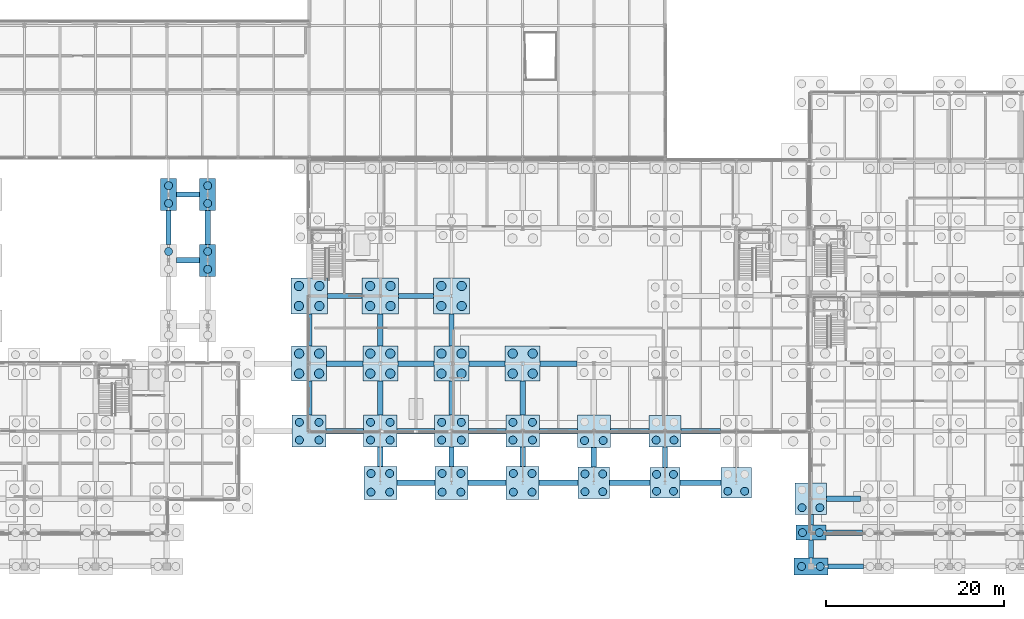
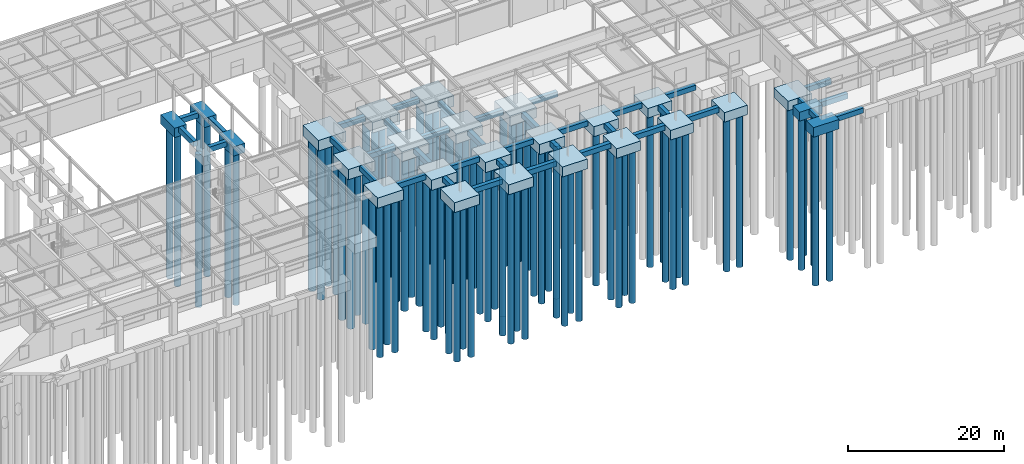
# One storey, part 3 of 62: 83 piles, 63 footings.
"""IFC4 building model written with IfcOpenShell, lengths in metres."""

from ifc_helpers import new_model, si_unit, direction, frame, origin, origin_2d, place, context, subcontext, project, spatial, rectangle, circle, extrude, material, material_profile, profile_set, type_object, element, save


model = new_model("IFC4")

# Units and contexts
model_context = context("Model", 3, precision=1e-05, world=origin(), true_north=direction((0.0, 1.0)))
body_context = subcontext(model_context, "Body", "Model", "MODEL_VIEW")
ifc_project = project(units=[si_unit("LENGTHUNIT", "METRE"), si_unit("AREAUNIT", "SQUARE_METRE"), si_unit("VOLUMEUNIT", "CUBIC_METRE"), si_unit("PLANEANGLEUNIT", "RADIAN"), si_unit("MASSUNIT", "GRAM", prefix="KILO")], contexts=[model_context])

# Site, building, storey
site_placement = place(None, origin())
site = spatial("IfcSite", under=ifc_project, at=site_placement, CompositionType="ELEMENT")
building_placement = place(site_placement, origin())
building = spatial("IfcBuilding", under=site, at=building_placement, Name="Zulena Civic Courthouse", CompositionType="ELEMENT")
storey_placement = place(building_placement, origin())
storey = spatial("IfcBuildingStorey", under=building, at=storey_placement, Name="L00", CompositionType="ELEMENT", Elevation=0.0)

# Piles
ifc_material_1 = material(Name="Concrete C40/50", Category="concrete")
ifc_material_profile_1 = material_profile(ifc_material_1, circle(Radius=0.52490234375, at=origin_2d()), Name="PILE1050")
ifc_profile_set_1 = profile_set([ifc_material_profile_1], Name="Concrete C40/50")
pile_type_1 = type_object("IfcPileType", Name="BoredPile_1050", PredefinedType="BORED", material=ifc_profile_set_1)
for number, where, z_axis, x_axis, name in (
    (1, (66.875, 21.675048828125, -1.72998046875), (0.0, 0.0, -1.0), (1.0, 0.0, 0.0), "pile:L00:052:1"),
    (2, (69.125, 21.675048828125, -1.72998046875), (0.0, 0.0, -1.0), (1.0, 0.0, 0.0), "pile:L00:052:2"),
    (3, (66.875, 23.925048828125, -1.72998046875), (0.0, 0.0, -1.0), (1.0, 0.0, 0.0), "pile:L00:052:3"),
    (4, (69.125, 23.925048828125, -1.72998046875), (0.0, 0.0, -1.0), (1.0, 0.0, 0.0), "pile:L00:052:4"),
    (5, (66.85009765625, 29.27490234375, -1.780029296875), (0.0, 0.0, -1.0), (1.0, 0.0, 0.0), "pile:L00:053:1"),
    (6, (69.14990234375, 29.27490234375, -1.780029296875), (0.0, 0.0, -1.0), (1.0, 0.0, 0.0), "pile:L00:053:2"),
    (7, (66.85009765625, 31.52490234375, -1.780029296875), (0.0, 0.0, -1.0), (1.0, 0.0, 0.0), "pile:L00:053:3"),
    (8, (69.14990234375, 31.52490234375, -1.780029296875), (0.0, 0.0, -1.0), (1.0, 0.0, 0.0), "pile:L00:053:4"),
    (9, (74.875, 21.675048828125, -1.72998046875), (0.0, 0.0, -1.0), (1.0, 0.0, 0.0), "pile:L00:058:1"),
    (10, (77.125, 21.675048828125, -1.72998046875), (0.0, 0.0, -1.0), (1.0, 0.0, 0.0), "pile:L00:058:2"),
    (11, (74.875, 23.925048828125, -1.72998046875), (0.0, 0.0, -1.0), (1.0, 0.0, 0.0), "pile:L00:058:3"),
    (12, (77.125, 23.925048828125, -1.72998046875), (0.0, 0.0, -1.0), (1.0, 0.0, 0.0), "pile:L00:058:4"),
    (13, (74.85009765625, 29.27490234375, -1.780029296875), (0.0, 0.0, -1.0), (1.0, 0.0, 0.0), "pile:L00:059:1"),
    (14, (77.14990234375, 29.27490234375, -1.780029296875), (0.0, 0.0, -1.0), (1.0, 0.0, 0.0), "pile:L00:059:2"),
    (15, (74.85009765625, 31.52490234375, -1.780029296875), (0.0, 0.0, -1.0), (1.0, 0.0, 0.0), "pile:L00:059:3"),
    (16, (77.14990234375, 31.52490234375, -1.780029296875), (0.0, 0.0, -1.0), (1.0, 0.0, 0.0), "pile:L00:059:4"),
    (17, (82.875, 21.675048828125, -1.72998046875), (0.0, 0.0, -1.0), (1.0, 0.0, 0.0), "pile:L00:064:1"),
    (18, (85.125, 21.675048828125, -1.72998046875), (0.0, 0.0, -1.0), (1.0, 0.0, 0.0), "pile:L00:064:2"),
    (19, (82.875, 23.925048828125, -1.72998046875), (0.0, 0.0, -1.0), (1.0, 0.0, 0.0), "pile:L00:064:3"),
    (20, (85.125, 23.925048828125, -1.72998046875), (0.0, 0.0, -1.0), (1.0, 0.0, 0.0), "pile:L00:064:4"),
    (21, (82.85009765625, 29.27490234375, -1.780029296875), (0.0, 0.0, -1.0), (1.0, 0.0, 0.0), "pile:L00:065:1"),
    (22, (85.14990234375, 29.27490234375, -1.780029296875), (0.0, 0.0, -1.0), (1.0, 0.0, 0.0), "pile:L00:065:2"),
    (23, (82.85009765625, 31.52490234375, -1.780029296875), (0.0, 0.0, -1.0), (1.0, 0.0, 0.0), "pile:L00:065:3"),
    (24, (85.14990234375, 31.52490234375, -1.780029296875), (0.0, 0.0, -1.0), (1.0, 0.0, 0.0), "pile:L00:065:4"),
    (25, (90.875, 21.675048828125, -1.72998046875), (0.0, 0.0, -1.0), (1.0, 0.0, 0.0), "pile:L00:070:1"),
    (26, (93.125, 21.675048828125, -1.72998046875), (0.0, 0.0, -1.0), (1.0, 0.0, 0.0), "pile:L00:070:2"),
    (27, (90.875, 23.925048828125, -1.72998046875), (0.0, 0.0, -1.0), (1.0, 0.0, 0.0), "pile:L00:070:3"),
    (28, (93.125, 23.925048828125, -1.72998046875), (0.0, 0.0, -1.0), (1.0, 0.0, 0.0), "pile:L00:070:4"),
):
    element("IfcPile", number, at=place(storey_placement, frame(where, z_axis=z_axis, x_axis=x_axis)), inside=storey, type_object=pile_type_1, Name=name, PredefinedType="BORED", context=body_context, shape_type="SweptSolid", body=[
        extrude(circle(Radius=0.52490234375, at=origin_2d()), origin(), (0.0, 0.0, 1.0), 24.0),
    ])
ifc_material_profile_2 = material_profile(ifc_material_1, circle(Radius=0.449951171875, at=origin_2d()), Name="PILE900")
ifc_profile_set_2 = profile_set([ifc_material_profile_2], Name="Concrete C40/50")
pile_type_2 = type_object("IfcPileType", Name="BoredPile_900", PredefinedType="BORED", material=ifc_profile_set_2)
for number, where, z_axis, x_axis, name in (
    (29, (52.199951171875, 35.39990234375, -1.580078125), (0.0, 0.0, -1.0), (1.0, 0.0, 0.0), "pile:L00:043:2"),
    (30, (52.199951171875, 40.800048828125, -1.580078125), (0.0, 0.0, -1.0), (1.0, 0.0, 0.0), "pile:L00:044:1"),
    (31, (52.199951171875, 42.800048828125, -1.580078125), (0.0, 0.0, -1.0), (1.0, 0.0, 0.0), "pile:L00:044:2"),
    (32, (56.60009765625, 33.39990234375, -1.580078125), (0.0, 0.0, -1.0), (1.0, 0.0, 0.0), "pile:L00:046:1"),
    (33, (56.60009765625, 35.39990234375, -1.580078125), (0.0, 0.0, -1.0), (1.0, 0.0, 0.0), "pile:L00:046:2"),
    (34, (56.60009765625, 40.800048828125, -1.580078125), (0.0, 0.0, -1.0), (1.0, 0.0, 0.0), "pile:L00:047:1"),
    (35, (56.60009765625, 42.800048828125, -1.580078125), (0.0, 0.0, -1.0), (1.0, 0.0, 0.0), "pile:L00:047:2"),
    (36, (66.89990234375, 14.199951171875, -1.72998046875), (0.0, 0.0, -1.0), (1.0, 0.0, 0.0), "pile:L00:051:1"),
    (37, (69.10009765625, 14.199951171875, -1.72998046875), (0.0, 0.0, -1.0), (1.0, 0.0, 0.0), "pile:L00:051:2"),
    (38, (66.89990234375, 16.199951171875, -1.72998046875), (0.0, 0.0, -1.0), (1.0, 0.0, 0.0), "pile:L00:051:3"),
    (39, (69.10009765625, 16.199951171875, -1.72998046875), (0.0, 0.0, -1.0), (1.0, 0.0, 0.0), "pile:L00:051:4"),
    (40, (74.949951171875, 8.35009765625, -1.679931640625), (0.0, 0.0, -1.0), (1.0, 0.0, 0.0), "pile:L00:056:1"),
    (41, (77.050048828125, 8.35009765625, -1.679931640625), (0.0, 0.0, -1.0), (1.0, 0.0, 0.0), "pile:L00:056:2"),
    (42, (74.949951171875, 10.449951171875, -1.679931640625), (0.0, 0.0, -1.0), (1.0, 0.0, 0.0), "pile:L00:056:3"),
    (43, (77.050048828125, 10.449951171875, -1.679931640625), (0.0, 0.0, -1.0), (1.0, 0.0, 0.0), "pile:L00:056:4"),
    (44, (74.89990234375, 14.199951171875, -1.72998046875), (0.0, 0.0, -1.0), (1.0, 0.0, 0.0), "pile:L00:057:1"),
    (45, (77.10009765625, 14.199951171875, -1.72998046875), (0.0, 0.0, -1.0), (1.0, 0.0, 0.0), "pile:L00:057:2"),
    (46, (74.89990234375, 16.199951171875, -1.72998046875), (0.0, 0.0, -1.0), (1.0, 0.0, 0.0), "pile:L00:057:3"),
    (47, (77.10009765625, 16.199951171875, -1.72998046875), (0.0, 0.0, -1.0), (1.0, 0.0, 0.0), "pile:L00:057:4"),
    (48, (82.949951171875, 8.35009765625, -1.679931640625), (0.0, 0.0, -1.0), (1.0, 0.0, 0.0), "pile:L00:062:1"),
    (49, (85.050048828125, 8.35009765625, -1.679931640625), (0.0, 0.0, -1.0), (1.0, 0.0, 0.0), "pile:L00:062:2"),
    (50, (82.949951171875, 10.449951171875, -1.679931640625), (0.0, 0.0, -1.0), (1.0, 0.0, 0.0), "pile:L00:062:3"),
    (51, (85.050048828125, 10.449951171875, -1.679931640625), (0.0, 0.0, -1.0), (1.0, 0.0, 0.0), "pile:L00:062:4"),
    (52, (82.89990234375, 14.199951171875, -1.72998046875), (0.0, 0.0, -1.0), (1.0, 0.0, 0.0), "pile:L00:063:1"),
    (53, (85.10009765625, 14.199951171875, -1.72998046875), (0.0, 0.0, -1.0), (1.0, 0.0, 0.0), "pile:L00:063:2"),
    (54, (82.89990234375, 16.199951171875, -1.72998046875), (0.0, 0.0, -1.0), (1.0, 0.0, 0.0), "pile:L00:063:3"),
    (55, (85.10009765625, 16.199951171875, -1.72998046875), (0.0, 0.0, -1.0), (1.0, 0.0, 0.0), "pile:L00:063:4"),
    (56, (90.949951171875, 8.35009765625, -1.679931640625), (0.0, 0.0, -1.0), (1.0, 0.0, 0.0), "pile:L00:068:1"),
    (57, (93.050048828125, 8.35009765625, -1.679931640625), (0.0, 0.0, -1.0), (1.0, 0.0, 0.0), "pile:L00:068:2"),
    (58, (90.949951171875, 10.449951171875, -1.679931640625), (0.0, 0.0, -1.0), (1.0, 0.0, 0.0), "pile:L00:068:3"),
    (59, (93.050048828125, 10.449951171875, -1.679931640625), (0.0, 0.0, -1.0), (1.0, 0.0, 0.0), "pile:L00:068:4"),
    (60, (90.89990234375, 14.199951171875, -1.72998046875), (0.0, 0.0, -1.0), (1.0, 0.0, 0.0), "pile:L00:069:1"),
    (61, (93.10009765625, 14.199951171875, -1.72998046875), (0.0, 0.0, -1.0), (1.0, 0.0, 0.0), "pile:L00:069:2"),
    (62, (90.89990234375, 16.199951171875, -1.72998046875), (0.0, 0.0, -1.0), (1.0, 0.0, 0.0), "pile:L00:069:3"),
    (63, (93.10009765625, 16.199951171875, -1.72998046875), (0.0, 0.0, -1.0), (1.0, 0.0, 0.0), "pile:L00:069:4"),
    (64, (99.0, 8.39990234375, -1.6298828125), (0.0, 0.0, -1.0), (1.0, 0.0, 0.0), "pile:L00:073:1"),
    (65, (101.0, 8.39990234375, -1.6298828125), (0.0, 0.0, -1.0), (1.0, 0.0, 0.0), "pile:L00:073:2"),
    (66, (99.0, 10.39990234375, -1.6298828125), (0.0, 0.0, -1.0), (1.0, 0.0, 0.0), "pile:L00:073:3"),
    (67, (101.0, 10.39990234375, -1.6298828125), (0.0, 0.0, -1.0), (1.0, 0.0, 0.0), "pile:L00:073:4"),
    (68, (98.949951171875, 14.14990234375, -1.679931640625), (0.0, 0.0, -1.0), (1.0, 0.0, 0.0), "pile:L00:074:1"),
    (69, (101.050048828125, 14.14990234375, -1.679931640625), (0.0, 0.0, -1.0), (1.0, 0.0, 0.0), "pile:L00:074:2"),
    (70, (107.050048828125, 8.449951171875, -1.6298828125), (0.0, 0.0, -1.0), (1.0, 0.0, 0.0), "pile:L00:078:1"),
    (71, (108.949951171875, 8.449951171875, -1.6298828125), (0.0, 0.0, -1.0), (1.0, 0.0, 0.0), "pile:L00:078:2"),
    (72, (107.050048828125, 10.35009765625, -1.6298828125), (0.0, 0.0, -1.0), (1.0, 0.0, 0.0), "pile:L00:078:3"),
    (73, (108.949951171875, 10.35009765625, -1.6298828125), (0.0, 0.0, -1.0), (1.0, 0.0, 0.0), "pile:L00:078:4"),
    (74, (107.0, 14.199951171875, -1.6298828125), (0.0, 0.0, -1.0), (1.0, 0.0, 0.0), "pile:L00:079:1"),
    (75, (109.0, 14.199951171875, -1.6298828125), (0.0, 0.0, -1.0), (1.0, 0.0, 0.0), "pile:L00:079:2"),
    (76, (115.050048828125, 8.449951171875, -1.6298828125), (0.0, 0.0, -1.0), (1.0, 0.0, 0.0), "pile:L00:084:1"),
    (77, (116.949951171875, 8.449951171875, -1.6298828125), (0.0, 0.0, -1.0), (1.0, 0.0, 0.0), "pile:L00:084:2"),
    (78, (123.35009765625, 0.0, -1.6298828125), (0.0, 0.0, -1.0), (1.0, 0.0, 0.0), "pile:L00:095:1"),
    (79, (125.449951171875, 0.0, -1.6298828125), (0.0, 0.0, -1.0), (1.0, 0.0, 0.0), "pile:L00:095:2"),
    (80, (123.449951171875, 3.800048828125, -1.530029296875), (0.0, 0.0, -1.0), (1.0, 0.0, 0.0), "pile:L00:096:1"),
    (81, (125.35009765625, 3.800048828125, -1.530029296875), (0.0, 0.0, -1.0), (1.0, 0.0, 0.0), "pile:L00:096:2"),
    (82, (123.39990234375, 6.60009765625, -1.6298828125), (0.0, 0.0, -1.0), (1.0, 0.0, 0.0), "pile:L00:097:1"),
    (83, (125.39990234375, 6.60009765625, -1.6298828125), (0.0, 0.0, -1.0), (1.0, 0.0, 0.0), "pile:L00:097:2"),
):
    element("IfcPile", number, at=place(storey_placement, frame(where, z_axis=z_axis, x_axis=x_axis)), inside=storey, type_object=pile_type_2, Name=name, PredefinedType="BORED", context=body_context, shape_type="SweptSolid", body=[
        extrude(circle(Radius=0.449951171875, at=origin_2d()), origin(), (0.0, 0.0, 1.0), 24.0),
    ])

# Footings
ifc_material_2 = material(Name="Concrete C35/45", Category="concrete")
ifc_material_profile_3 = material_profile(ifc_material_2, rectangle(XDim=0.60009765625, YDim=0.800048828125, at=origin_2d()), Name="RC600X800")
ifc_profile_set_3 = profile_set([ifc_material_profile_3], Name="Concrete C35/45")
footing_type_1 = type_object("IfcFootingType", Name="GroundBeam_600x800", PredefinedType="FOOTING_BEAM", material=ifc_profile_set_3)
footing_1_placement = place(storey_placement, frame((126.300048828125, 0.0, -0.6298828125), z_axis=(1.0, 0.0, 0.0), x_axis=(0.0, 1.0, 0.0)))
element("IfcFooting", 84, at=footing_1_placement, inside=storey, type_object=footing_type_1, Name="gbeam:X:L00:007", PredefinedType="FOOTING_BEAM", context=body_context, shape_type="SweptSolid", body=[
    extrude(rectangle(XDim=0.60009765625, YDim=0.800048828125, at=origin_2d()), origin(), (0.0, 0.0, 1.0), 4.0),
])
footing_2_placement = place(storey_placement, frame((126.10009765625, 3.800048828125, -0.6298828125), z_axis=(1.0, 0.0, 0.0), x_axis=(0.0, 1.0, 0.0)))
element("IfcFooting", 85, at=footing_2_placement, inside=storey, type_object=footing_type_1, Name="gbeam:X:L00:019", PredefinedType="FOOTING_BEAM", context=body_context, shape_type="SweptSolid", body=[
    extrude(rectangle(XDim=0.60009765625, YDim=0.800048828125, at=origin_2d()), origin(), (0.0, 0.0, 1.0), 4.099853515625),
])
footing_3_placement = place(storey_placement, frame((126.175048828125, 7.60009765625, -0.6298828125), z_axis=(1.0, 0.0, 0.0), x_axis=(0.0, 1.0, 0.0)))
element("IfcFooting", 86, at=footing_3_placement, inside=storey, type_object=footing_type_1, Name="gbeam:X:L00:032", PredefinedType="FOOTING_BEAM", context=body_context, shape_type="SweptSolid", body=[
    extrude(rectangle(XDim=0.60009765625, YDim=0.800048828125, at=origin_2d()), origin(), (0.0, 0.0, 1.0), 3.77490234375),
])
for number, where, z_axis, x_axis, name in (
    (87, (77.85009765625, 9.39990234375, -0.6298828125), (1.0, 0.0, 0.0), (0.0, 1.0, 0.0), "gbeam:X:L00:038"),
    (88, (85.85009765625, 9.39990234375, -0.6298828125), (1.0, 0.0, 0.0), (0.0, 1.0, 0.0), "gbeam:X:L00:039"),
):
    element("IfcFooting", number, at=place(storey_placement, frame(where, z_axis=z_axis, x_axis=x_axis)), inside=storey, type_object=footing_type_1, Name=name, PredefinedType="FOOTING_BEAM", context=body_context, shape_type="SweptSolid", body=[
        extrude(rectangle(XDim=0.60009765625, YDim=0.800048828125, at=origin_2d()), origin(), (0.0, 0.0, 1.0), 4.2998046875),
    ])
footing_4_placement = place(storey_placement, frame((93.85009765625, 9.39990234375, -0.6298828125), z_axis=(1.0, 0.0, 0.0), x_axis=(0.0, 1.0, 0.0)))
element("IfcFooting", 89, at=footing_4_placement, inside=storey, type_object=footing_type_1, Name="gbeam:X:L00:040", PredefinedType="FOOTING_BEAM", context=body_context, shape_type="SweptSolid", body=[
    extrude(rectangle(XDim=0.60009765625, YDim=0.800048828125, at=origin_2d()), origin(), (0.0, 0.0, 1.0), 4.375),
])
footing_5_placement = place(storey_placement, frame((101.77490234375, 9.39990234375, -0.6298828125), z_axis=(1.0, 0.0, 0.0), x_axis=(0.0, 1.0, 0.0)))
element("IfcFooting", 90, at=footing_5_placement, inside=storey, type_object=footing_type_1, Name="gbeam:X:L00:041", PredefinedType="FOOTING_BEAM", context=body_context, shape_type="SweptSolid", body=[
    extrude(rectangle(XDim=0.60009765625, YDim=0.800048828125, at=origin_2d()), origin(), (0.0, 0.0, 1.0), 4.525146484375),
])
footing_6_placement = place(storey_placement, frame((109.699951171875, 9.39990234375, -0.6298828125), z_axis=(1.0, 0.0, 0.0), x_axis=(0.0, 1.0, 0.0)))
element("IfcFooting", 91, at=footing_6_placement, inside=storey, type_object=footing_type_1, Name="gbeam:X:L00:042", PredefinedType="FOOTING_BEAM", context=body_context, shape_type="SweptSolid", body=[
    extrude(rectangle(XDim=0.60009765625, YDim=0.800048828125, at=origin_2d()), origin(), (0.0, 0.0, 1.0), 4.60009765625),
])
for number, where, z_axis, x_axis, name in (
    (92, (69.89990234375, 15.199951171875, -0.6298828125), (1.0, 0.0, 0.0), (0.0, 1.0, 0.0), "gbeam:X:L00:051"),
    (93, (77.89990234375, 15.199951171875, -0.6298828125), (1.0, 0.0, 0.0), (0.0, 1.0, 0.0), "gbeam:X:L00:052"),
    (94, (85.89990234375, 15.199951171875, -0.6298828125), (1.0, 0.0, 0.0), (0.0, 1.0, 0.0), "gbeam:X:L00:053"),
):
    element("IfcFooting", number, at=place(storey_placement, frame(where, z_axis=z_axis, x_axis=x_axis)), inside=storey, type_object=footing_type_1, Name=name, PredefinedType="FOOTING_BEAM", context=body_context, shape_type="SweptSolid", body=[
        extrude(rectangle(XDim=0.60009765625, YDim=0.800048828125, at=origin_2d()), origin(), (0.0, 0.0, 1.0), 4.2001953125),
    ])
footing_7_placement = place(storey_placement, frame((93.89990234375, 15.199951171875, -0.6298828125), z_axis=(1.0, 0.0, 0.0), x_axis=(0.0, 1.0, 0.0)))
element("IfcFooting", 95, at=footing_7_placement, inside=storey, type_object=footing_type_1, Name="gbeam:X:L00:054", PredefinedType="FOOTING_BEAM", context=body_context, shape_type="SweptSolid", body=[
    extrude(rectangle(XDim=0.60009765625, YDim=0.800048828125, at=origin_2d()), origin(), (0.0, 0.0, 1.0), 4.25),
])
footing_8_placement = place(storey_placement, frame((101.85009765625, 15.199951171875, -0.6298828125), z_axis=(1.0, 0.0, 0.0), x_axis=(0.0, 1.0, 0.0)))
element("IfcFooting", 96, at=footing_8_placement, inside=storey, type_object=footing_type_1, Name="gbeam:X:L00:055", PredefinedType="FOOTING_BEAM", context=body_context, shape_type="SweptSolid", body=[
    extrude(rectangle(XDim=0.60009765625, YDim=0.800048828125, at=origin_2d()), origin(), (0.0, 0.0, 1.0), 4.375),
])
footing_9_placement = place(storey_placement, frame((109.77490234375, 15.199951171875, -0.6298828125), z_axis=(1.0, 0.0, 0.0), x_axis=(0.0, 1.0, 0.0)))
element("IfcFooting", 97, at=footing_9_placement, inside=storey, type_object=footing_type_1, Name="gbeam:X:L00:056", PredefinedType="FOOTING_BEAM", context=body_context, shape_type="SweptSolid", body=[
    extrude(rectangle(XDim=0.60009765625, YDim=0.800048828125, at=origin_2d()), origin(), (0.0, 0.0, 1.0), 4.4501953125),
])
for number, where, z_axis, x_axis, name in (
    (98, (69.97509765625, 22.800048828125, -0.6298828125), (1.0, 0.0, 0.0), (0.0, 1.0, 0.0), "gbeam:X:L00:072"),
    (99, (77.97509765625, 22.800048828125, -0.6298828125), (1.0, 0.0, 0.0), (0.0, 1.0, 0.0), "gbeam:X:L00:073"),
    (100, (85.97509765625, 22.800048828125, -0.6298828125), (1.0, 0.0, 0.0), (0.0, 1.0, 0.0), "gbeam:X:L00:074"),
):
    element("IfcFooting", number, at=place(storey_placement, frame(where, z_axis=z_axis, x_axis=x_axis)), inside=storey, type_object=footing_type_1, Name=name, PredefinedType="FOOTING_BEAM", context=body_context, shape_type="SweptSolid", body=[
        extrude(rectangle(XDim=0.60009765625, YDim=0.800048828125, at=origin_2d()), origin(), (0.0, 0.0, 1.0), 4.0498046875),
    ])
footing_10_placement = place(storey_placement, frame((93.97509765625, 22.800048828125, -0.6298828125), z_axis=(1.0, 0.0, 0.0), x_axis=(0.0, 1.0, 0.0)))
element("IfcFooting", 101, at=footing_10_placement, inside=storey, type_object=footing_type_1, Name="gbeam:X:L00:075", PredefinedType="FOOTING_BEAM", context=body_context, shape_type="SweptSolid", body=[
    extrude(rectangle(XDim=0.60009765625, YDim=0.800048828125, at=origin_2d()), origin(), (0.0, 0.0, 1.0), 4.125),
])
for number, where, z_axis, x_axis, name in (
    (102, (70.050048828125, 30.39990234375, -0.6298828125), (1.0, 0.0, 0.0), (0.0, 1.0, 0.0), "gbeam:X:L00:087"),
    (103, (78.050048828125, 30.39990234375, -0.6298828125), (1.0, 0.0, 0.0), (0.0, 1.0, 0.0), "gbeam:X:L00:088"),
):
    element("IfcFooting", number, at=place(storey_placement, frame(where, z_axis=z_axis, x_axis=x_axis)), inside=storey, type_object=footing_type_1, Name=name, PredefinedType="FOOTING_BEAM", context=body_context, shape_type="SweptSolid", body=[
        extrude(rectangle(XDim=0.60009765625, YDim=0.800048828125, at=origin_2d()), origin(), (0.0, 0.0, 1.0), 3.89990234375),
    ])
for number, where, z_axis, x_axis, name in (
    (104, (53.10009765625, 34.39990234375, -0.6298828125), (1.0, 0.0, 0.0), (0.0, 1.0, 0.0), "gbeam:X:L00:098"),
    (105, (53.10009765625, 41.800048828125, -0.6298828125), (1.0, 0.0, 0.0), (0.0, 1.0, 0.0), "gbeam:X:L00:113"),
):
    element("IfcFooting", number, at=place(storey_placement, frame(where, z_axis=z_axis, x_axis=x_axis)), inside=storey, type_object=footing_type_1, Name=name, PredefinedType="FOOTING_BEAM", context=body_context, shape_type="SweptSolid", body=[
        extrude(rectangle(XDim=0.60009765625, YDim=0.800048828125, at=origin_2d()), origin(), (0.0, 0.0, 1.0), 2.599853515625),
    ])
for number, where, z_axis, x_axis, name in (
    (106, (52.199951171875, 36.199951171875, -0.6298828125), (0.0, 1.0, 0.0), (-1.0, 0.0, 0.0), "gbeam:Y:L00:162"),
    (107, (56.60009765625, 36.199951171875, -0.6298828125), (0.0, 1.0, 0.0), (-1.0, 0.0, 0.0), "gbeam:Y:L00:164"),
):
    element("IfcFooting", number, at=place(storey_placement, frame(where, z_axis=z_axis, x_axis=x_axis)), inside=storey, type_object=footing_type_1, Name=name, PredefinedType="FOOTING_BEAM", context=body_context, shape_type="SweptSolid", body=[
        extrude(rectangle(XDim=0.60009765625, YDim=0.800048828125, at=origin_2d()), origin(), (0.0, 0.0, 1.0), 3.800048828125),
    ])
footing_11_placement = place(storey_placement, frame((68.0, 17.0, -0.6298828125), z_axis=(0.0, 1.0, 0.0), x_axis=(-1.0, 0.0, 0.0)))
element("IfcFooting", 108, at=footing_11_placement, inside=storey, type_object=footing_type_1, Name="gbeam:Y:L00:167", PredefinedType="FOOTING_BEAM", context=body_context, shape_type="SweptSolid", body=[
    extrude(rectangle(XDim=0.60009765625, YDim=0.800048828125, at=origin_2d()), origin(), (0.0, 0.0, 1.0), 3.824951171875),
])
footing_12_placement = place(storey_placement, frame((68.0, 24.77490234375, -0.6298828125), z_axis=(0.0, 1.0, 0.0), x_axis=(-1.0, 0.0, 0.0)))
element("IfcFooting", 109, at=footing_12_placement, inside=storey, type_object=footing_type_1, Name="gbeam:Y:L00:168", PredefinedType="FOOTING_BEAM", context=body_context, shape_type="SweptSolid", body=[
    extrude(rectangle(XDim=0.60009765625, YDim=0.800048828125, at=origin_2d()), origin(), (0.0, 0.0, 1.0), 3.625),
])
footing_13_placement = place(storey_placement, frame((76.0, 11.25, -0.6298828125), z_axis=(0.0, 1.0, 0.0), x_axis=(-1.0, 0.0, 0.0)))
element("IfcFooting", 110, at=footing_13_placement, inside=storey, type_object=footing_type_1, Name="gbeam:Y:L00:171", PredefinedType="FOOTING_BEAM", context=body_context, shape_type="SweptSolid", body=[
    extrude(rectangle(XDim=0.60009765625, YDim=0.800048828125, at=origin_2d()), origin(), (0.0, 0.0, 1.0), 2.14990234375),
])
footing_14_placement = place(storey_placement, frame((76.0, 17.0, -0.6298828125), z_axis=(0.0, 1.0, 0.0), x_axis=(-1.0, 0.0, 0.0)))
element("IfcFooting", 111, at=footing_14_placement, inside=storey, type_object=footing_type_1, Name="gbeam:Y:L00:172", PredefinedType="FOOTING_BEAM", context=body_context, shape_type="SweptSolid", body=[
    extrude(rectangle(XDim=0.60009765625, YDim=0.800048828125, at=origin_2d()), origin(), (0.0, 0.0, 1.0), 3.824951171875),
])
footing_15_placement = place(storey_placement, frame((76.0, 24.77490234375, -0.6298828125), z_axis=(0.0, 1.0, 0.0), x_axis=(-1.0, 0.0, 0.0)))
element("IfcFooting", 112, at=footing_15_placement, inside=storey, type_object=footing_type_1, Name="gbeam:Y:L00:173", PredefinedType="FOOTING_BEAM", context=body_context, shape_type="SweptSolid", body=[
    extrude(rectangle(XDim=0.60009765625, YDim=0.800048828125, at=origin_2d()), origin(), (0.0, 0.0, 1.0), 3.625),
])
footing_16_placement = place(storey_placement, frame((84.0, 11.25, -0.6298828125), z_axis=(0.0, 1.0, 0.0), x_axis=(-1.0, 0.0, 0.0)))
element("IfcFooting", 113, at=footing_16_placement, inside=storey, type_object=footing_type_1, Name="gbeam:Y:L00:176", PredefinedType="FOOTING_BEAM", context=body_context, shape_type="SweptSolid", body=[
    extrude(rectangle(XDim=0.60009765625, YDim=0.800048828125, at=origin_2d()), origin(), (0.0, 0.0, 1.0), 2.14990234375),
])
footing_17_placement = place(storey_placement, frame((84.0, 17.0, -0.6298828125), z_axis=(0.0, 1.0, 0.0), x_axis=(-1.0, 0.0, 0.0)))
element("IfcFooting", 114, at=footing_17_placement, inside=storey, type_object=footing_type_1, Name="gbeam:Y:L00:177", PredefinedType="FOOTING_BEAM", context=body_context, shape_type="SweptSolid", body=[
    extrude(rectangle(XDim=0.60009765625, YDim=0.800048828125, at=origin_2d()), origin(), (0.0, 0.0, 1.0), 3.824951171875),
])
footing_18_placement = place(storey_placement, frame((84.0, 24.77490234375, -0.6298828125), z_axis=(0.0, 1.0, 0.0), x_axis=(-1.0, 0.0, 0.0)))
element("IfcFooting", 115, at=footing_18_placement, inside=storey, type_object=footing_type_1, Name="gbeam:Y:L00:178", PredefinedType="FOOTING_BEAM", context=body_context, shape_type="SweptSolid", body=[
    extrude(rectangle(XDim=0.60009765625, YDim=0.800048828125, at=origin_2d()), origin(), (0.0, 0.0, 1.0), 3.625),
])
footing_19_placement = place(storey_placement, frame((92.0, 11.25, -0.6298828125), z_axis=(0.0, 1.0, 0.0), x_axis=(-1.0, 0.0, 0.0)))
element("IfcFooting", 116, at=footing_19_placement, inside=storey, type_object=footing_type_1, Name="gbeam:Y:L00:181", PredefinedType="FOOTING_BEAM", context=body_context, shape_type="SweptSolid", body=[
    extrude(rectangle(XDim=0.60009765625, YDim=0.800048828125, at=origin_2d()), origin(), (0.0, 0.0, 1.0), 2.14990234375),
])
footing_20_placement = place(storey_placement, frame((92.0, 17.0, -0.6298828125), z_axis=(0.0, 1.0, 0.0), x_axis=(-1.0, 0.0, 0.0)))
element("IfcFooting", 117, at=footing_20_placement, inside=storey, type_object=footing_type_1, Name="gbeam:Y:L00:182", PredefinedType="FOOTING_BEAM", context=body_context, shape_type="SweptSolid", body=[
    extrude(rectangle(XDim=0.60009765625, YDim=0.800048828125, at=origin_2d()), origin(), (0.0, 0.0, 1.0), 3.824951171875),
])
footing_21_placement = place(storey_placement, frame((100.0, 11.175048828125, -0.6298828125), z_axis=(0.0, 1.0, 0.0), x_axis=(-1.0, 0.0, 0.0)))
element("IfcFooting", 118, at=footing_21_placement, inside=storey, type_object=footing_type_1, Name="gbeam:Y:L00:184", PredefinedType="FOOTING_BEAM", context=body_context, shape_type="SweptSolid", body=[
    extrude(rectangle(XDim=0.60009765625, YDim=0.800048828125, at=origin_2d()), origin(), (0.0, 0.0, 1.0), 2.175048828125),
])
footing_22_placement = place(storey_placement, frame((108.0, 11.10009765625, -0.6298828125), z_axis=(0.0, 1.0, 0.0), x_axis=(-1.0, 0.0, 0.0)))
element("IfcFooting", 119, at=footing_22_placement, inside=storey, type_object=footing_type_1, Name="gbeam:Y:L00:187", PredefinedType="FOOTING_BEAM", context=body_context, shape_type="SweptSolid", body=[
    extrude(rectangle(XDim=0.60009765625, YDim=0.800048828125, at=origin_2d()), origin(), (0.0, 0.0, 1.0), 2.324951171875),
])
footing_23_placement = place(storey_placement, frame((124.39990234375, 0.949951171875, -0.6298828125), z_axis=(0.0, 1.0, 0.0), x_axis=(-1.0, 0.0, 0.0)))
element("IfcFooting", 120, at=footing_23_placement, inside=storey, type_object=footing_type_1, Name="gbeam:Y:L00:202", PredefinedType="FOOTING_BEAM", context=body_context, shape_type="SweptSolid", body=[
    extrude(rectangle(XDim=0.60009765625, YDim=0.800048828125, at=origin_2d()), origin(), (0.0, 0.0, 1.0), 2.0),
])
footing_24_placement = place(storey_placement, frame((124.39990234375, 4.64990234375, -0.6298828125), z_axis=(0.0, 1.0, 0.0), x_axis=(-1.0, 0.0, 0.0)))
element("IfcFooting", 121, at=footing_24_placement, inside=storey, type_object=footing_type_1, Name="gbeam:Y:L00:203", PredefinedType="FOOTING_BEAM", context=body_context, shape_type="SweptSolid", body=[
    extrude(rectangle(XDim=0.60009765625, YDim=0.800048828125, at=origin_2d()), origin(), (0.0, 0.0, 1.0), 1.175048828125),
])
footing_type_2 = type_object("IfcFootingType", Name="PileCap_2P_3400x1700", PredefinedType="PILE_CAP", material=ifc_material_1)
footing_25_placement = place(storey_placement, frame((124.39990234375, 3.800048828125, -1.6298828125), z_axis=(0.0, 0.0, 1.0), x_axis=(1.0, 0.0, 0.0)))
element("IfcFooting", 122, at=footing_25_placement, inside=storey, type_object=footing_type_2, Name="cap:L00:096", PredefinedType="PILE_CAP", context=body_context, shape_type="SweptSolid", body=[
    extrude(rectangle(XDim=3.39990234375, YDim=1.699951171875, at=origin_2d()), origin(), (0.0, 0.0, 1.0), 1.39990234375),
])
footing_type_3 = type_object("IfcFootingType", Name="PileCap_2P_3600x1800", PredefinedType="PILE_CAP", material=ifc_material_1)
for number, where, z_axis, x_axis, name in (
    (123, (52.199951171875, 41.800048828125, -1.68017578125), (0.0, 0.0, 1.0), (1.0, 0.0, 0.0), "cap:L00:044"),
    (124, (56.60009765625, 34.39990234375, -1.68017578125), (0.0, 0.0, 1.0), (1.0, 0.0, 0.0), "cap:L00:046"),
    (125, (56.60009765625, 41.800048828125, -1.68017578125), (0.0, 0.0, 1.0), (1.0, 0.0, 0.0), "cap:L00:047"),
):
    element("IfcFooting", number, at=place(storey_placement, frame(where, z_axis=z_axis, x_axis=x_axis)), inside=storey, type_object=footing_type_3, Name=name, PredefinedType="PILE_CAP", context=body_context, shape_type="SweptSolid", body=[
        extrude(rectangle(XDim=1.800048828125, YDim=3.60009765625, at=origin_2d()), origin(), (0.0, 0.0, 1.0), 1.449951171875),
    ])
footing_type_4 = type_object("IfcFootingType", Name="PileCap_2P_3800x1900", PredefinedType="PILE_CAP", material=ifc_material_1)
footing_26_placement = place(storey_placement, frame((124.39990234375, 0.0, -1.72998046875), z_axis=(0.0, 0.0, 1.0), x_axis=(1.0, 0.0, 0.0)))
element("IfcFooting", 126, at=footing_26_placement, inside=storey, type_object=footing_type_4, Name="cap:L00:095", PredefinedType="PILE_CAP", context=body_context, shape_type="SweptSolid", body=[
    extrude(rectangle(XDim=3.800048828125, YDim=1.89990234375, at=origin_2d()), origin(), (0.0, 0.0, 1.0), 1.5),
])
footing_type_5 = type_object("IfcFootingType", Name="PileCap_4P_3400x3400", PredefinedType="PILE_CAP", material=ifc_material_1)
for number, where, z_axis, x_axis, name in (
    (127, (108.0, 9.39990234375, -1.72998046875), (0.0, 0.0, 1.0), (1.0, 0.0, 0.0), "cap:L00:078"),
    (128, (116.0, 9.39990234375, -1.72998046875), (0.0, 0.0, 1.0), (1.0, 0.0, 0.0), "cap:L00:084"),
):
    element("IfcFooting", number, at=place(storey_placement, frame(where, z_axis=z_axis, x_axis=x_axis)), inside=storey, type_object=footing_type_5, Name=name, PredefinedType="PILE_CAP", context=body_context, shape_type="SweptSolid", body=[
        extrude(rectangle(XDim=3.39990234375, YDim=3.39990234375, at=origin_2d()), origin(), (0.0, 0.0, 1.0), 1.5),
    ])
footing_type_6 = type_object("IfcFootingType", Name="PileCap_4P_3550x3550", PredefinedType="PILE_CAP", material=ifc_material_1)
for number, where, z_axis, x_axis, name in (
    (129, (100.0, 9.39990234375, -1.72998046875), (0.0, 0.0, 1.0), (1.0, 0.0, 0.0), "cap:L00:073"),
    (130, (108.0, 15.199951171875, -1.72998046875), (0.0, 0.0, 1.0), (1.0, 0.0, 0.0), "cap:L00:079"),
    (131, (124.39990234375, 7.60009765625, -1.72998046875), (0.0, 0.0, 1.0), (1.0, 0.0, 0.0), "cap:L00:097"),
):
    element("IfcFooting", number, at=place(storey_placement, frame(where, z_axis=z_axis, x_axis=x_axis)), inside=storey, type_object=footing_type_6, Name=name, PredefinedType="PILE_CAP", context=body_context, shape_type="SweptSolid", body=[
        extrude(rectangle(XDim=3.550048828125, YDim=3.550048828125, at=origin_2d()), origin(), (0.0, 0.0, 1.0), 1.5),
    ])
footing_type_7 = type_object("IfcFootingType", Name="PileCap_4P_3700x3700", PredefinedType="PILE_CAP", material=ifc_material_1)
for number, where, z_axis, x_axis, name in (
    (132, (76.0, 9.39990234375, -1.77978515625), (0.0, 0.0, 1.0), (1.0, 0.0, 0.0), "cap:L00:056"),
    (133, (84.0, 9.39990234375, -1.77978515625), (0.0, 0.0, 1.0), (1.0, 0.0, 0.0), "cap:L00:062"),
    (134, (92.0, 9.39990234375, -1.77978515625), (0.0, 0.0, 1.0), (1.0, 0.0, 0.0), "cap:L00:068"),
    (135, (100.0, 15.199951171875, -1.77978515625), (0.0, 0.0, 1.0), (1.0, 0.0, 0.0), "cap:L00:074"),
):
    element("IfcFooting", number, at=place(storey_placement, frame(where, z_axis=z_axis, x_axis=x_axis)), inside=storey, type_object=footing_type_7, Name=name, PredefinedType="PILE_CAP", context=body_context, shape_type="SweptSolid", body=[
        extrude(rectangle(XDim=3.699951171875, YDim=3.699951171875, at=origin_2d()), origin(), (0.0, 0.0, 1.0), 1.550048828125),
    ])
footing_type_8 = type_object("IfcFootingType", Name="PileCap_4P_3800x3600", PredefinedType="PILE_CAP", material=ifc_material_1)
for number, where, z_axis, x_axis, name in (
    (136, (68.0, 15.199951171875, -1.830078125), (0.0, 0.0, 1.0), (1.0, 0.0, 0.0), "cap:L00:051"),
    (137, (76.0, 15.199951171875, -1.830078125), (0.0, 0.0, 1.0), (1.0, 0.0, 0.0), "cap:L00:057"),
    (138, (84.0, 15.199951171875, -1.830078125), (0.0, 0.0, 1.0), (1.0, 0.0, 0.0), "cap:L00:063"),
    (139, (92.0, 15.199951171875, -1.830078125), (0.0, 0.0, 1.0), (1.0, 0.0, 0.0), "cap:L00:069"),
):
    element("IfcFooting", number, at=place(storey_placement, frame(where, z_axis=z_axis, x_axis=x_axis)), inside=storey, type_object=footing_type_8, Name=name, PredefinedType="PILE_CAP", context=body_context, shape_type="SweptSolid", body=[
        extrude(rectangle(XDim=3.800048828125, YDim=3.60009765625, at=origin_2d()), origin(), (0.0, 0.0, 1.0), 1.60009765625),
    ])
footing_type_9 = type_object("IfcFootingType", Name="PileCap_4P_3950x3950", PredefinedType="PILE_CAP", material=ifc_material_1)
for number, where, z_axis, x_axis, name in (
    (140, (68.0, 22.800048828125, -1.830078125), (0.0, 0.0, 1.0), (1.0, 0.0, 0.0), "cap:L00:052"),
    (141, (76.0, 22.800048828125, -1.830078125), (0.0, 0.0, 1.0), (1.0, 0.0, 0.0), "cap:L00:058"),
    (142, (84.0, 22.800048828125, -1.830078125), (0.0, 0.0, 1.0), (1.0, 0.0, 0.0), "cap:L00:064"),
    (143, (92.0, 22.800048828125, -1.830078125), (0.0, 0.0, 1.0), (1.0, 0.0, 0.0), "cap:L00:070"),
):
    element("IfcFooting", number, at=place(storey_placement, frame(where, z_axis=z_axis, x_axis=x_axis)), inside=storey, type_object=footing_type_9, Name=name, PredefinedType="PILE_CAP", context=body_context, shape_type="SweptSolid", body=[
        extrude(rectangle(XDim=3.949951171875, YDim=3.949951171875, at=origin_2d()), origin(), (0.0, 0.0, 1.0), 1.60009765625),
    ])
footing_type_10 = type_object("IfcFootingType", Name="PileCap_4P_4100x4000", PredefinedType="PILE_CAP", material=ifc_material_1)
for number, where, z_axis, x_axis, name in (
    (144, (68.0, 30.39990234375, -1.8798828125), (0.0, 0.0, 1.0), (1.0, 0.0, 0.0), "cap:L00:053"),
    (145, (76.0, 30.39990234375, -1.8798828125), (0.0, 0.0, 1.0), (1.0, 0.0, 0.0), "cap:L00:059"),
    (146, (84.0, 30.39990234375, -1.8798828125), (0.0, 0.0, 1.0), (1.0, 0.0, 0.0), "cap:L00:065"),
):
    element("IfcFooting", number, at=place(storey_placement, frame(where, z_axis=z_axis, x_axis=x_axis)), inside=storey, type_object=footing_type_10, Name=name, PredefinedType="PILE_CAP", context=body_context, shape_type="SweptSolid", body=[
        extrude(rectangle(XDim=4.10009765625, YDim=4.0, at=origin_2d()), origin(), (0.0, 0.0, 1.0), 1.64990234375),
    ])

save(model, "model.ifc")
